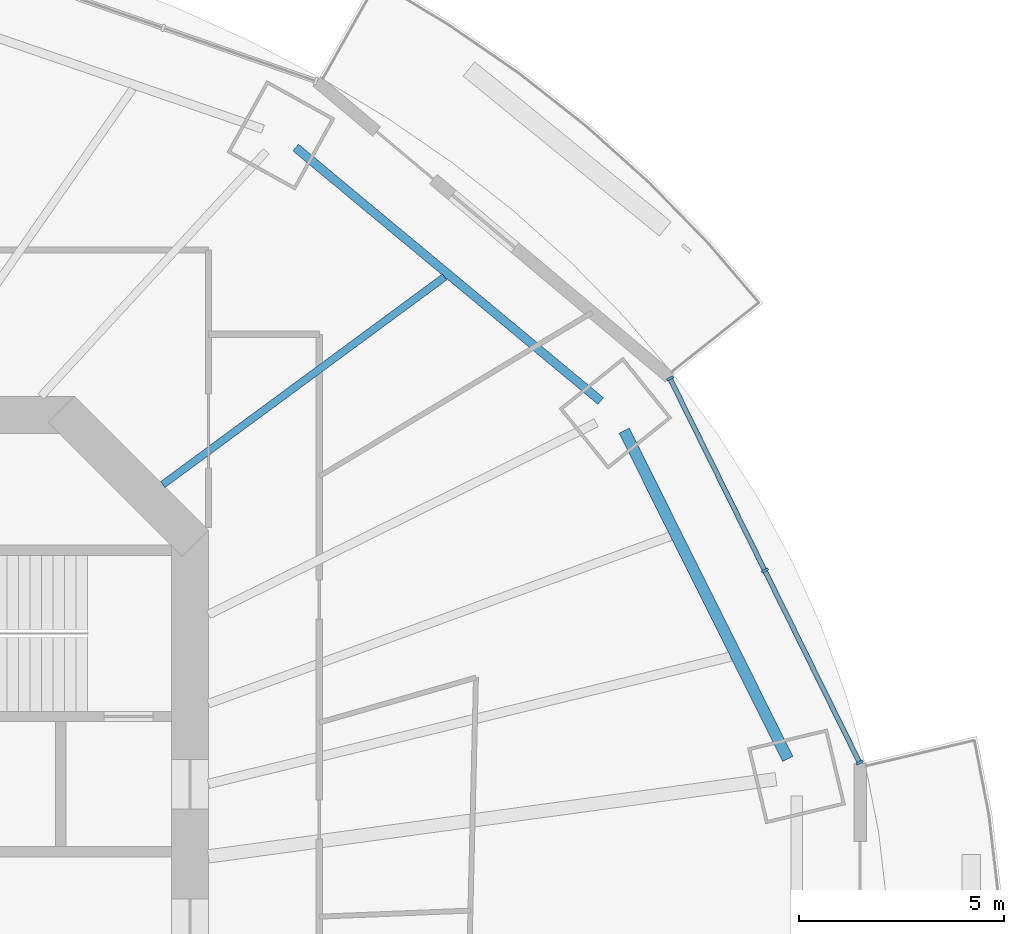
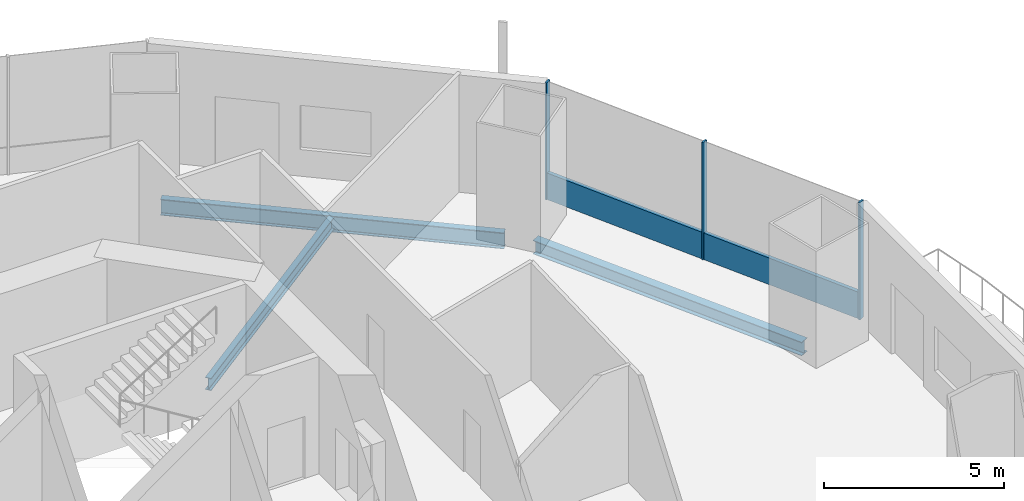
# One storey, part 8 of 20: 4 members, 3 beams, 1 element without a shape of its own.
"""IFC4 building model written with IfcOpenShell, lengths in metres."""

from ifc_helpers import new_model, si_unit, direction, frame, origin, origin_2d, place, context, subcontext, project, spatial, rectangle, i_section, extrude, material, material_profile, profile_set, type_object, element, aggregate, save


model = new_model("IFC4")

# Units and contexts
model_context = context("Model", 3, precision=1e-05, world=origin(), true_north=direction((0.0, 1.0)))
body_context = subcontext(model_context, "Body", "Model", "MODEL_VIEW")
ifc_project = project(units=[si_unit("LENGTHUNIT", "METRE"), si_unit("AREAUNIT", "SQUARE_METRE"), si_unit("VOLUMEUNIT", "CUBIC_METRE"), si_unit("PLANEANGLEUNIT", "RADIAN"), si_unit("MASSUNIT", "GRAM", prefix="KILO")], contexts=[model_context])

# Site, building, storey
site_placement = place(None, origin())
site = spatial("IfcSite", under=ifc_project, at=site_placement, CompositionType="ELEMENT")
building_placement = place(site_placement, origin())
building = spatial("IfcBuilding", under=site, at=building_placement, Name="Marenthal Gate Tower", CompositionType="ELEMENT")
storey_placement = place(building_placement, frame((0.0, 0.0, 210.85009765625)))
storey = spatial("IfcBuildingStorey", under=building, at=storey_placement, Name="L46", CompositionType="ELEMENT", Elevation=210.85009765625)

# Curtain wall, members
ifc_material_1 = material(Name="Aluminium and glass", Category="aluminium")
curtain_wall_type = type_object("IfcCurtainWallType", Name="Curtain wall typical mid", PredefinedType="NOTDEFINED", material=ifc_material_1)
curtain_wall_placement = place(storey_placement, origin())
curtain_wall = element("IfcCurtainWall", 1, at=curtain_wall_placement, inside=storey, type_object=curtain_wall_type, Name="Curtain wall L46 bay 1", PredefinedType="NOTDEFINED")
ifc_material_2 = material(Name="Aluminium", Category="aluminium")
ifc_material_profile_1 = material_profile(ifc_material_2, rectangle(XDim=0.179931640625, YDim=0.06005859375, at=origin_2d()), Name="60x180 aluminium mullion")
ifc_profile_set_1 = profile_set([ifc_material_profile_1], Name="Aluminium")
member_type_1 = type_object("IfcMemberType", Name="Mullion 60x180 typical mid", PredefinedType="MULLION", material=ifc_profile_set_1)
member_1_placement = place(storey_placement, frame((32.318603515625, 4.524658203125, 0.0), z_axis=(0.0, 0.0, 1.0), x_axis=(-0.896756924648, -0.442523466153, 0.0)))
member_1 = element("IfcMember", 2, at=member_1_placement, type_object=member_type_1, Name="Mullion L46 bay 1.1", PredefinedType="MULLION", context=body_context, shape_type="SweptSolid", body=[
    extrude(rectangle(XDim=0.179931640625, YDim=0.06005859375, at=origin_2d()), origin(), (0.0, 0.0, 1.0), 3.969970703125),
])
member_2_placement = place(storey_placement, frame((30.0078125, 9.207275390625, 0.0), z_axis=(0.0, 0.0, 1.0), x_axis=(-0.896756924648, -0.442523466153, 0.0)))
member_2 = element("IfcMember", 3, at=member_2_placement, type_object=member_type_1, Name="Mullion L46 bay 1.2", PredefinedType="MULLION", context=body_context, shape_type="SweptSolid", body=[
    extrude(rectangle(XDim=0.179931640625, YDim=0.06005859375, at=origin_2d()), origin(), (0.0, 0.0, 1.0), 3.969970703125),
])
member_3_placement = place(storey_placement, frame((27.69677734375, 13.89013671875, 0.0), z_axis=(0.0, 0.0, 1.0), x_axis=(-0.896756924648, -0.442523466153, 0.0)))
member_3 = element("IfcMember", 4, at=member_3_placement, type_object=member_type_1, Name="Mullion L46 bay 1.3", PredefinedType="MULLION", context=body_context, shape_type="SweptSolid", body=[
    extrude(rectangle(XDim=0.179931640625, YDim=0.06005859375, at=origin_2d()), origin(), (0.0, 0.0, 1.0), 3.969970703125),
])
ifc_material_3 = material(Name="Aluminium", Category="aluminium")
ifc_material_profile_2 = material_profile(ifc_material_3, rectangle(XDim=0.1201171875, YDim=0.89990234375, at=origin_2d()), Name="120x900 aluminium transom")
ifc_profile_set_2 = profile_set([ifc_material_profile_2], Name="Aluminium")
member_type_2 = type_object("IfcMemberType", Name="Transom 120x900 typical mid", PredefinedType="USERDEFINED", material=ifc_profile_set_2)
member_4_placement = place(storey_placement, frame((32.30517578125, 4.551513671875, 0.449951171875), z_axis=(-0.44251449594, 0.896761351131, 0.0), x_axis=(-0.896761351131, -0.44251449594, 0.0)))
member_4 = element("IfcMember", 5, at=member_4_placement, type_object=member_type_2, Name="Transom L46 bay 1", ObjectType="TRANSOM", PredefinedType="USERDEFINED", context=body_context, shape_type="SweptSolid", body=[
    extrude(rectangle(XDim=0.1201171875, YDim=0.89990234375, at=origin_2d()), origin(), (0.0, 0.0, 1.0), 10.3837890625),
])
aggregate(curtain_wall, [member_1, member_2, member_3, member_4])

# Beams
ifc_material_4 = material(Name="Steel S355", Category="steel")
ifc_material_profile_3 = material_profile(ifc_material_4, i_section(OverallWidth=0.180908203125, OverallDepth=0.4169921875, WebThickness=0.010986328125, FlangeThickness=0.018310546875, FilletRadius=0.01025390625, at=origin_2d()), Name="W410X85")
ifc_profile_set_3 = profile_set([ifc_material_profile_3], Name="Steel S355")
beam_type_1 = type_object("IfcBeamType", Name="W410X85 beam", PredefinedType="BEAM", material=ifc_profile_set_3)
beam_1_placement = place(storey_placement, frame((22.20556640625, 16.361083984375, -0.388671875), z_axis=(-0.805066625037, -0.593184397343, 0.0), x_axis=(0.593184397343, -0.805066625037, 0.0)))
element("IfcBeam", 6, at=beam_1_placement, inside=storey, type_object=beam_type_1, Name="BM-L46-19", PredefinedType="BEAM", context=body_context, shape_type="SweptSolid", body=[
    extrude(i_section(OverallWidth=0.180908203125, OverallDepth=0.4169921875, WebThickness=0.010986328125, FlangeThickness=0.018310546875, FilletRadius=0.01025390625, at=origin_2d()), origin(), (0.0, 0.0, 1.0), 8.532470703125),
])
ifc_material_5 = material(Name="Steel S355", Category="steel")
ifc_material_profile_4 = material_profile(ifc_material_5, i_section(OverallWidth=0.279052734375, OverallDepth=0.4619140625, WebThickness=0.0107421875, FlangeThickness=0.017333984375, FilletRadius=0.010009765625, at=origin_2d()), Name="W460X113")
ifc_profile_set_4 = profile_set([ifc_material_profile_4], Name="Steel S355")
beam_type_2 = type_object("IfcBeamType", Name="W460X113 beam", PredefinedType="BEAM", material=ifc_profile_set_4)
beam_2_placement = place(storey_placement, frame((30.5703125, 4.61474609375, -0.4111328125), z_axis=(-0.44619754622, 0.894934494668, 0.0), x_axis=(-0.894934494668, -0.44619754622, 0.0)))
element("IfcBeam", 7, at=beam_2_placement, inside=storey, type_object=beam_type_2, Name="BM-L46-41", PredefinedType="BEAM", context=body_context, shape_type="SweptSolid", body=[
    extrude(i_section(OverallWidth=0.279052734375, OverallDepth=0.4619140625, WebThickness=0.0107421875, FlangeThickness=0.017333984375, FilletRadius=0.010009765625, at=origin_2d()), origin(), (0.0, 0.0, 1.0), 8.941162109375),
])
ifc_material_6 = material(Name="Steel S355", Category="steel")
ifc_material_profile_5 = material_profile(ifc_material_6, i_section(OverallWidth=0.2119140625, OverallDepth=0.5439453125, WebThickness=0.01318359375, FlangeThickness=0.021240234375, FilletRadius=0.0126953125, at=origin_2d()), Name="W530X123")
ifc_profile_set_5 = profile_set([ifc_material_profile_5], Name="Steel S355")
beam_type_3 = type_object("IfcBeamType", Name="W530X123 beam", PredefinedType="BEAM", material=ifc_profile_set_5)
beam_3_placement = place(storey_placement, frame((26.0087890625, 13.339111328125, -0.4521484375), z_axis=(-0.769164771419, 0.63905051006, 0.0), x_axis=(-0.63905051006, -0.769164771419, 0.0)))
element("IfcBeam", 8, at=beam_3_placement, inside=storey, type_object=beam_type_3, Name="BM-L46-42", PredefinedType="BEAM", context=body_context, shape_type="SweptSolid", body=[
    extrude(i_section(OverallWidth=0.2119140625, OverallDepth=0.5439453125, WebThickness=0.01318359375, FlangeThickness=0.021240234375, FilletRadius=0.0126953125, at=origin_2d()), origin(), (0.0, 0.0, 1.0), 9.663330078125),
])

save(model, "model.ifc")
